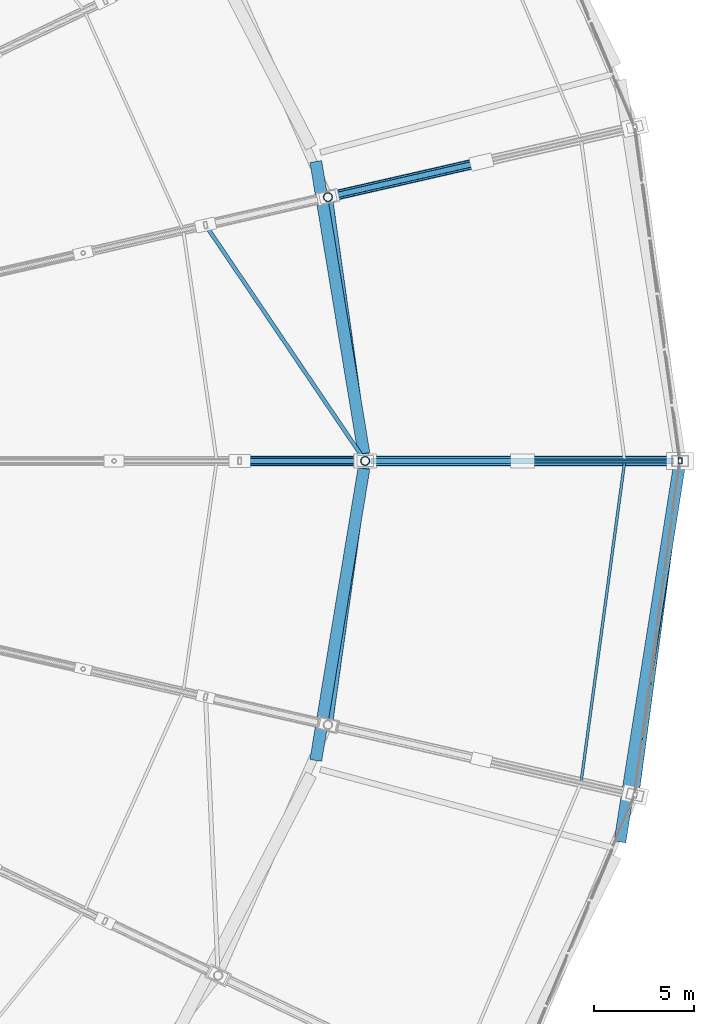
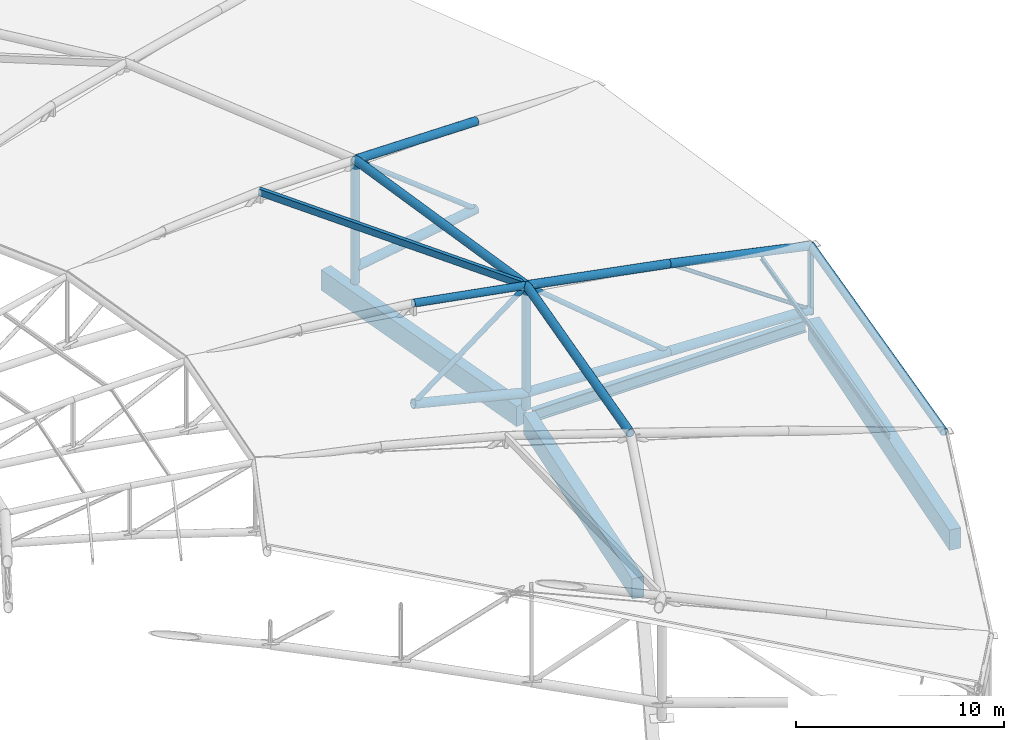
# One storey, part 75 of 108: 20 members, 4 beams.
"""IFC4 building model written with IfcOpenShell, lengths in metres."""

from ifc_helpers import new_model, si_unit, direction, frame, origin, origin_2d, place, context, subcontext, project, spatial, rectangle, hollow_rectangle, hollow_circle, i_section, extrude, material, material_profile, profile_set, type_object, element, save


model = new_model("IFC4")

# Units and contexts
model_context = context("Model", 3, precision=1e-05, world=origin(), true_north=direction((0.0, 1.0)))
body_context = subcontext(model_context, "Body", "Model", "MODEL_VIEW")
ifc_project = project(units=[si_unit("LENGTHUNIT", "METRE"), si_unit("AREAUNIT", "SQUARE_METRE"), si_unit("VOLUMEUNIT", "CUBIC_METRE"), si_unit("PLANEANGLEUNIT", "RADIAN"), si_unit("MASSUNIT", "GRAM", prefix="KILO")], contexts=[model_context])

# Site, building, storey
site_placement = place(None, origin())
site = spatial("IfcSite", under=ifc_project, at=site_placement, CompositionType="ELEMENT")
building_placement = place(site_placement, origin())
building = spatial("IfcBuilding", under=site, at=building_placement, Name="Zevraka Park Crest Stadium", CompositionType="ELEMENT")
storey_placement = place(building_placement, frame((0.0, 0.0, 29.39990234375)))
storey = spatial("IfcBuildingStorey", under=building, at=storey_placement, Name="RF", CompositionType="ELEMENT", Elevation=29.39990234375)

# Beam
ifc_material_1 = material(Name="Steel S355", Category="steel")
ifc_material_profile_1 = material_profile(ifc_material_1, i_section(OverallWidth=0.300048828125, OverallDepth=0.699951171875, WebThickness=0.01708984375, FlangeThickness=0.031982421875, at=origin_2d()), Name="HEB 700")
ifc_profile_set_1 = profile_set([ifc_material_profile_1], Name="Steel S355")
beam_type_1 = type_object("IfcBeamType", Name="BG06", PredefinedType="BEAM", material=ifc_profile_set_1)
beam_1_placement = place(storey_placement, frame((186.800048828125, 92.0, -0.534912109375), z_axis=(1.0, 0.0, 0.0), x_axis=(0.0, 1.0, 0.0)))
element("IfcBeam", 1, at=beam_1_placement, inside=storey, type_object=beam_type_1, Name="Radial Girder BG06 RF-BD-00", PredefinedType="BEAM", context=body_context, shape_type="SweptSolid", body=[
    extrude(i_section(OverallWidth=0.300048828125, OverallDepth=0.699951171875, WebThickness=0.01708984375, FlangeThickness=0.031982421875, at=origin_2d()), origin(), (0.0, 0.0, 1.0), 15.199951171875),
])

# Member
ifc_material_2 = material(Name="Steel S355", Category="steel")
ifc_material_profile_2 = material_profile(ifc_material_2, i_section(OverallWidth=0.135009765625, OverallDepth=0.27001953125, WebThickness=0.006591796875, FlangeThickness=0.01025390625, at=origin_2d()), Name="IPE 270")
ifc_profile_set_2 = profile_set([ifc_material_profile_2], Name="Steel S355")
member_type_1 = type_object("IfcMemberType", Name="PR04", PredefinedType="PURLIN", material=ifc_profile_set_2)
member_1_placement = place(storey_placement, frame((197.330078125, 75.862060546875, 4.302001953125), z_axis=(0.134704466965, 0.990885819144, 0.0), x_axis=(-0.990885819144, 0.134704466965, 0.0)))
element("IfcMember", 2, at=member_1_placement, inside=storey, type_object=member_type_1, Name="Canopy Roof Purlin PR04 OUTER-28-1", PredefinedType="PURLIN", context=body_context, shape_type="SweptSolid", body=[
    extrude(i_section(OverallWidth=0.135009765625, OverallDepth=0.27001953125, WebThickness=0.006591796875, FlangeThickness=0.01025390625, at=origin_2d()), origin(), (0.0, 0.0, 1.0), 16.286376953125),
])

# Beams
ifc_material_3 = material(Name="Concrete C40/50", Category="concrete")
ifc_material_profile_3 = material_profile(ifc_material_3, rectangle(XDim=0.60009765625, YDim=1.199951171875, at=origin_2d()), Name="RC 1200x600")
ifc_profile_set_3 = profile_set([ifc_material_profile_3], Name="Concrete C40/50")
beam_type_2 = type_object("IfcBeamType", Name="RB01", PredefinedType="BEAM", material=ifc_profile_set_3)
for number, where, z_axis, x_axis, name in (
    (3, (186.43798828125, 92.375, -0.599853515625), (-0.162654875862, 0.986683024764, 0.0), (-0.986683024764, -0.162654875862, 0.0), "Ring Beam RB01 RF-B-00"),
    (4, (184.02294921875, 76.97509765625, -0.599853515625), (0.162654875862, 0.986683024764, 0.0), (-0.986683024764, 0.162654875862, 0.0), "Ring Beam RB01 RF-B-23"),
):
    element("IfcBeam", number, at=place(storey_placement, frame(where, z_axis=z_axis, x_axis=x_axis)), inside=storey, type_object=beam_type_2, Name=name, PredefinedType="BEAM", context=body_context, shape_type="SweptSolid", body=[
        extrude(rectangle(XDim=0.60009765625, YDim=1.199951171875, at=origin_2d()), origin(), (0.0, 0.0, 1.0), 14.84765625),
    ])
beam_2_placement = place(storey_placement, frame((199.281982421875, 72.885986328125, -0.599853515625), z_axis=(0.155972486086, 0.987761400129, 0.0), x_axis=(-0.987761400129, 0.155972486086, 0.0)))
element("IfcBeam", 5, at=beam_2_placement, inside=storey, type_object=beam_type_2, Name="Ring Beam RB01 RF-D-23", PredefinedType="BEAM", context=body_context, shape_type="SweptSolid", body=[
    extrude(rectangle(XDim=0.60009765625, YDim=1.199951171875, at=origin_2d()), origin(), (0.0, 0.0, 1.0), 18.97119140625),
])

# Members
ifc_material_4 = material(Name="Steel S355", Category="steel")
ifc_material_profile_4 = material_profile(ifc_material_4, hollow_circle(Radius=0.25390625, WallThickness=0.030029296875, at=origin_2d()), Name="CHS 508.0x30")
ifc_profile_set_4 = profile_set([ifc_material_profile_4], Name="Steel S355")
member_type_2 = type_object("IfcMemberType", Name="TC01", PredefinedType="CHORD", material=ifc_profile_set_4)
member_2_placement = place(storey_placement, frame((202.300048828125, 92.0, 0.25), z_axis=(-0.999279533078, 0.0, 0.03795279663), x_axis=(0.0, -1.0, 0.0)))
element("IfcMember", 6, at=member_2_placement, inside=storey, type_object=member_type_2, Name="Roof Truss Bottom Chord TC01 T01-1", PredefinedType="CHORD", context=body_context, shape_type="SweptSolid", body=[
    extrude(hollow_circle(Radius=0.25390625, WallThickness=0.030029296875, at=origin_2d()), origin(), (0.0, 0.0, 1.0), 7.90576171875),
])
member_3_placement = place(storey_placement, frame((194.39990234375, 92.0, 0.550048828125), z_axis=(-0.999019458827, 0.0, 0.044273252486), x_axis=(0.0, -1.0, 0.0)))
element("IfcMember", 7, at=member_3_placement, inside=storey, type_object=member_type_2, Name="Roof Truss Bottom Chord TC01 T01-2", PredefinedType="CHORD", context=body_context, shape_type="SweptSolid", body=[
    extrude(hollow_circle(Radius=0.25390625, WallThickness=0.030029296875, at=origin_2d()), origin(), (0.0, 0.0, 1.0), 7.90771484375),
])
member_4_placement = place(storey_placement, frame((186.5, 92.0, 0.900146484375), z_axis=(-0.971041073831, 0.0, 0.238912605222), x_axis=(0.0, -1.0, 0.0)))
element("IfcMember", 8, at=member_4_placement, inside=storey, type_object=member_type_2, Name="Roof Truss Bottom Chord TC01 T01-3", PredefinedType="CHORD", context=body_context, shape_type="SweptSolid", body=[
    extrude(hollow_circle(Radius=0.25390625, WallThickness=0.030029296875, at=origin_2d()), origin(), (0.0, 0.0, 1.0), 6.488037109375),
])
member_5_placement = place(storey_placement, frame((192.333984375, 106.998046875, 0.550048828125), z_axis=(-0.97396794057, -0.222320446954, 0.044272673369), x_axis=(0.222538649551, -0.974923868544, 0.0)))
element("IfcMember", 9, at=member_5_placement, inside=storey, type_object=member_type_2, Name="Roof Truss Bottom Chord TC01 T02-2", PredefinedType="CHORD", context=body_context, shape_type="SweptSolid", body=[
    extrude(hollow_circle(Radius=0.25390625, WallThickness=0.030029296875, at=origin_2d()), origin(), (0.0, 0.0, 1.0), 7.90771484375),
])
ifc_material_5 = material(Name="Steel S355", Category="steel")
ifc_material_profile_5 = material_profile(ifc_material_5, hollow_circle(Radius=0.228515625, WallThickness=0.02490234375, at=origin_2d()), Name="CHS 457.0x25")
ifc_profile_set_5 = profile_set([ifc_material_profile_5], Name="Steel S355")
member_type_3 = type_object("IfcMemberType", Name="TC02", PredefinedType="CHORD", material=ifc_profile_set_5)
member_6_placement = place(storey_placement, frame((186.5, 92.0, 0.0), z_axis=(0.0, 0.0, 1.0), x_axis=(1.0, 0.0, 0.0)))
element("IfcMember", 10, at=member_6_placement, inside=storey, type_object=member_type_3, Name="Roof Truss Anchor Strut TC02 T01-2", PredefinedType="CHORD", context=body_context, shape_type="SweptSolid", body=[
    extrude(hollow_circle(Radius=0.228515625, WallThickness=0.02490234375, at=origin_2d()), origin(), (0.0, 0.0, 1.0), 7.2001953125),
])
member_7_placement = place(storey_placement, frame((202.300048828125, 92.0, 4.0), z_axis=(-0.977616783303, 0.0, 0.210393500384), x_axis=(0.0, -1.0, 0.0)))
element("IfcMember", 11, at=member_7_placement, inside=storey, type_object=member_type_3, Name="Roof Truss Top Chord TC02 T01-1", PredefinedType="CHORD", context=body_context, shape_type="SweptSolid", body=[
    extrude(hollow_circle(Radius=0.228515625, WallThickness=0.02490234375, at=origin_2d()), origin(), (0.0, 0.0, 1.0), 8.0810546875),
])
member_8_placement = place(storey_placement, frame((194.39990234375, 92.0, 5.7001953125), z_axis=(-0.982446826972, 0.0, 0.186542842726), x_axis=(0.0, -1.0, 0.0)))
element("IfcMember", 12, at=member_8_placement, inside=storey, type_object=member_type_3, Name="Roof Truss Top Chord TC02 T01-2", PredefinedType="CHORD", context=body_context, shape_type="SweptSolid", body=[
    extrude(hollow_circle(Radius=0.228515625, WallThickness=0.02490234375, at=origin_2d()), origin(), (0.0, 0.0, 1.0), 8.041015625),
])
member_9_placement = place(storey_placement, frame((184.632080078125, 105.239990234375, 0.0), z_axis=(0.0, 0.0, 1.0), x_axis=(0.974916814618, 0.222569549971, 0.0)))
element("IfcMember", 13, at=member_9_placement, inside=storey, type_object=member_type_3, Name="Roof Truss Anchor Strut TC02 T02-2", PredefinedType="CHORD", context=body_context, shape_type="SweptSolid", body=[
    extrude(hollow_circle(Radius=0.228515625, WallThickness=0.02490234375, at=origin_2d()), origin(), (0.0, 0.0, 1.0), 7.2001953125),
])
member_10_placement = place(storey_placement, frame((192.333984375, 106.998046875, 5.7001953125), z_axis=(-0.957811298019, -0.218632489842, 0.186540482931), x_axis=(0.222538649551, -0.974923868544, 0.0)))
element("IfcMember", 14, at=member_10_placement, inside=storey, type_object=member_type_3, Name="Roof Truss Top Chord TC02 T02-2", PredefinedType="CHORD", context=body_context, shape_type="SweptSolid", body=[
    extrude(hollow_circle(Radius=0.228515625, WallThickness=0.02490234375, at=origin_2d()), origin(), (0.0, 0.0, 1.0), 8.041259765625),
])
for number, where, z_axis, x_axis, name in (
    (15, (186.5, 92.0, 7.2001953125), (-0.139698239704, 0.990194123303, 0.0), (-0.990194123303, -0.139698239704, 0.0), "Roof Main Bowl-Rim Ring Chord TC02 01"),
    (16, (184.632080078125, 78.760009765625, 7.2001953125), (0.139698239704, 0.990194123303, 0.0), (-0.990194123303, 0.139698239704, 0.0), "Roof Main Bowl-Rim Ring Chord TC02 28"),
):
    element("IfcMember", number, at=place(storey_placement, frame(where, z_axis=z_axis, x_axis=x_axis)), inside=storey, type_object=member_type_3, Name=name, PredefinedType="CHORD", context=body_context, shape_type="SweptSolid", body=[
        extrude(hollow_circle(Radius=0.228515625, WallThickness=0.02490234375, at=origin_2d()), origin(), (0.0, 0.0, 1.0), 13.37109375),
    ])
ifc_material_6 = material(Name="Steel S355", Category="steel")
ifc_material_profile_6 = material_profile(ifc_material_6, hollow_circle(Radius=0.203125, WallThickness=0.02001953125, at=origin_2d()), Name="CHS 406.4x20")
ifc_profile_set_6 = profile_set([ifc_material_profile_6], Name="Steel S355")
member_type_4 = type_object("IfcMemberType", Name="TC03", PredefinedType="CHORD", material=ifc_profile_set_6)
member_11_placement = place(storey_placement, frame((186.5, 92.0, 7.2001953125), z_axis=(-0.983747689745, 0.0, 0.179556350269), x_axis=(0.0, -1.0, 0.0)))
element("IfcMember", 17, at=member_11_placement, inside=storey, type_object=member_type_4, Name="Roof Truss Top Chord TC03 T01-3", PredefinedType="CHORD", context=body_context, shape_type="SweptSolid", body=[
    extrude(hollow_circle(Radius=0.203125, WallThickness=0.02001953125, at=origin_2d()), origin(), (0.0, 0.0, 1.0), 6.404052734375),
])
member_12_placement = place(storey_placement, frame((200.035888671875, 75.243896484375, 4.0), z_axis=(0.133907548369, 0.990993828684, 0.0), x_axis=(-0.990993828684, 0.133907548369, 0.0)))
element("IfcMember", 18, at=member_12_placement, inside=storey, type_object=member_type_4, Name="Roof Outer Canopy Ring Chord TC03 28", PredefinedType="CHORD", context=body_context, shape_type="SweptSolid", body=[
    extrude(hollow_circle(Radius=0.203125, WallThickness=0.02001953125, at=origin_2d()), origin(), (0.0, 0.0, 1.0), 16.908447265625),
])
ifc_material_7 = material(Name="Steel S355", Category="steel")
ifc_material_profile_7 = material_profile(ifc_material_7, hollow_circle(Radius=0.136474609375, WallThickness=0.012451171875, at=origin_2d()), Name="CHS 273.0x12.5")
ifc_profile_set_7 = profile_set([ifc_material_profile_7], Name="Steel S355")
member_type_5 = type_object("IfcMemberType", Name="WB01", PredefinedType="BRACE", material=ifc_profile_set_7)
member_13_placement = place(storey_placement, frame((194.39990234375, 92.0, 0.550048828125), z_axis=(-0.765025835155, 0.0, 0.643999589709), x_axis=(0.0, -1.0, 0.0)))
element("IfcMember", 19, at=member_13_placement, inside=storey, type_object=member_type_5, Name="Roof Truss Web Diagonal WB01 T01-2", PredefinedType="BRACE", context=body_context, shape_type="SweptSolid", body=[
    extrude(hollow_circle(Radius=0.136474609375, WallThickness=0.012451171875, at=origin_2d()), origin(), (0.0, 0.0, 1.0), 10.326416015625),
])
member_14_placement = place(storey_placement, frame((180.199951171875, 92.0, 2.4501953125), z_axis=(0.798478765103, 0.0, 0.602022974379), x_axis=(0.0, 1.0, 0.0)))
element("IfcMember", 20, at=member_14_placement, inside=storey, type_object=member_type_5, Name="Roof Truss Web Diagonal WB01 T01-3", PredefinedType="BRACE", context=body_context, shape_type="SweptSolid", body=[
    extrude(hollow_circle(Radius=0.136474609375, WallThickness=0.012451171875, at=origin_2d()), origin(), (0.0, 0.0, 1.0), 7.89013671875),
])
member_15_placement = place(storey_placement, frame((192.333984375, 106.998046875, 0.550048828125), z_axis=(-0.745846000859, -0.170248741629, 0.643994649805), x_axis=(0.222538649551, -0.974923868544, 0.0)))
element("IfcMember", 21, at=member_15_placement, inside=storey, type_object=member_type_5, Name="Roof Truss Web Diagonal WB01 T02-2", PredefinedType="BRACE", context=body_context, shape_type="SweptSolid", body=[
    extrude(hollow_circle(Radius=0.136474609375, WallThickness=0.012451171875, at=origin_2d()), origin(), (0.0, 0.0, 1.0), 10.326416015625),
])
ifc_material_8 = material(Name="Steel S355", Category="steel")
ifc_material_profile_8 = material_profile(ifc_material_8, hollow_circle(Radius=0.109619140625, WallThickness=0.010009765625, at=origin_2d()), Name="CHS 219.1x10")
ifc_profile_set_8 = profile_set([ifc_material_profile_8], Name="Steel S355")
member_type_6 = type_object("IfcMemberType", Name="WB02", PredefinedType="BRACE", material=ifc_profile_set_8)
member_16_placement = place(storey_placement, frame((202.300048828125, 92.0, 0.25), z_axis=(-0.823124227189, 0.0, 0.567861344533), x_axis=(0.0, -1.0, 0.0)))
element("IfcMember", 22, at=member_16_placement, inside=storey, type_object=member_type_6, Name="Roof Truss Web Diagonal WB02 T01-1", PredefinedType="BRACE", context=body_context, shape_type="SweptSolid", body=[
    extrude(hollow_circle(Radius=0.109619140625, WallThickness=0.010009765625, at=origin_2d()), origin(), (0.0, 0.0, 1.0), 9.59765625),
])
ifc_material_9 = material(Name="Steel S355", Category="steel")
ifc_material_profile_9 = material_profile(ifc_material_9, hollow_rectangle(XDim=0.199951171875, YDim=0.300048828125, WallThickness=0.012451171875, at=origin_2d()), Name="RHS 300x200x12.5")
ifc_profile_set_9 = profile_set([ifc_material_profile_9], Name="Steel S355")
member_type_7 = type_object("IfcMemberType", Name="WB03", PredefinedType="BRACE", material=ifc_profile_set_9)
member_17_placement = place(storey_placement, frame((202.300048828125, 92.0, 0.0), z_axis=(0.0, 0.0, 1.0), x_axis=(1.0, 0.0, 0.0)))
element("IfcMember", 23, at=member_17_placement, inside=storey, type_object=member_type_7, Name="Roof Truss Anchor Strut WB03 T01-0", PredefinedType="BRACE", context=body_context, shape_type="SweptSolid", body=[
    extrude(hollow_rectangle(XDim=0.199951171875, YDim=0.300048828125, WallThickness=0.012451171875, at=origin_2d()), origin(), (0.0, 0.0, 1.0), 4.0),
])
ifc_material_10 = material(Name="Steel S355", Category="steel")
ifc_material_profile_10 = material_profile(ifc_material_10, hollow_rectangle(XDim=0.199951171875, YDim=0.39990234375, WallThickness=0.01611328125, at=origin_2d()), Name="RHS 400x200x16")
ifc_profile_set_10 = profile_set([ifc_material_profile_10], Name="Steel S355")
member_type_8 = type_object("IfcMemberType", Name="WB06", PredefinedType="BRACE", material=ifc_profile_set_10)
member_18_placement = place(storey_placement, frame((186.5, 92.0, 7.2001953125), z_axis=(-0.558601739217, 0.825550340796, 0.080191843449), x_axis=(-0.828217658713, -0.560406557596, 0.0)))
element("IfcMember", 24, at=member_18_placement, inside=storey, type_object=member_type_8, Name="Canopy Roof Wind Brace WB06 01", PredefinedType="BRACE", context=body_context, shape_type="SweptSolid", body=[
    extrude(hollow_rectangle(XDim=0.199951171875, YDim=0.39990234375, WallThickness=0.01611328125, at=origin_2d()), origin(), (0.0, 0.0, 1.0), 14.33935546875),
])

save(model, "model.ifc")
